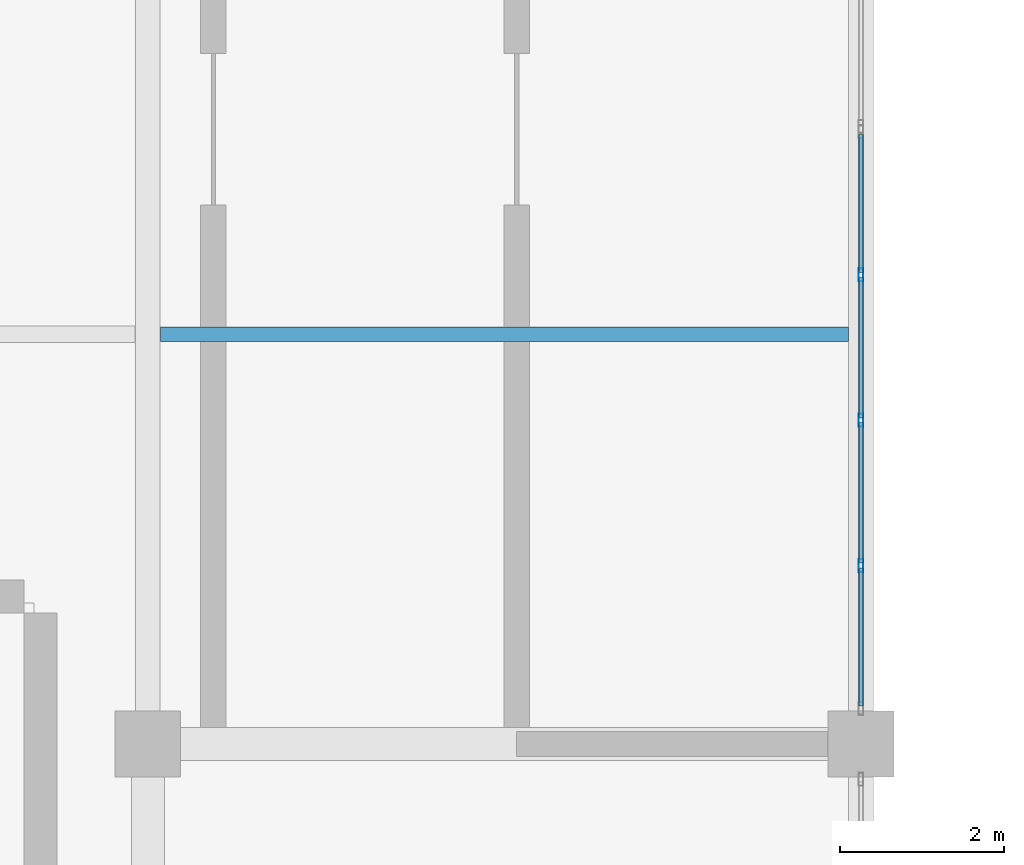
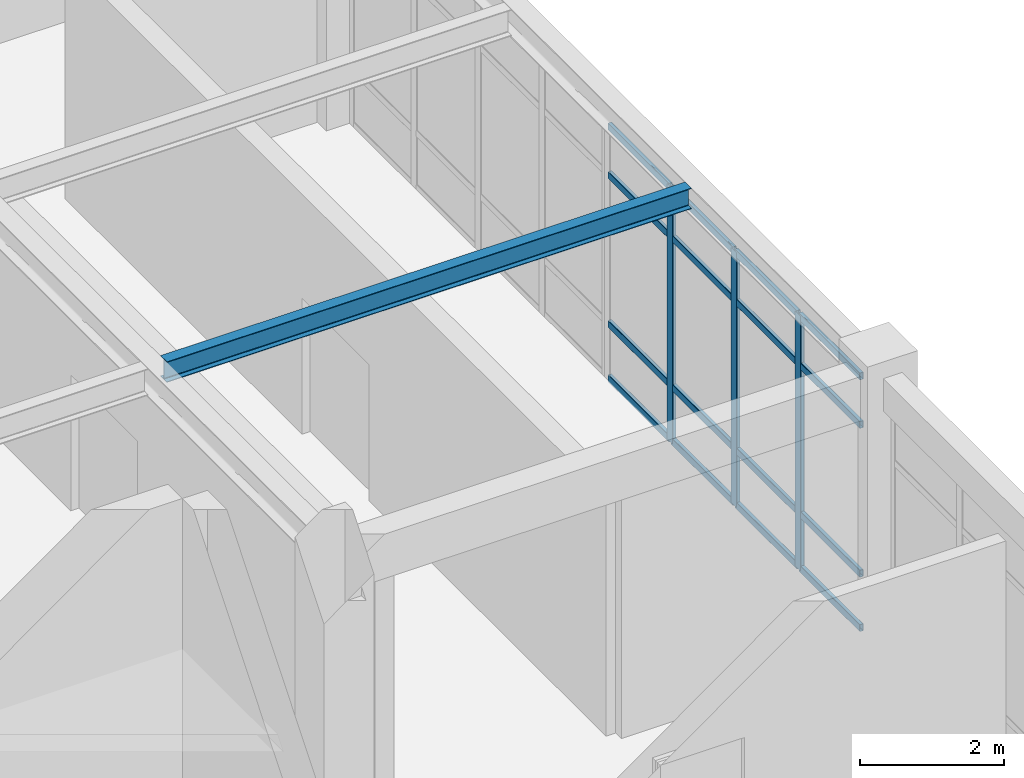
# One storey, part 41 of 96: 19 members, 1 beam, 1 element without a shape of its own.
"""IFC4 building model written with IfcOpenShell, lengths in metres."""

from ifc_helpers import new_model, si_unit, derived_unit, direction, frame, origin, origin_2d, place, context, subcontext, project, spatial, hollow_rectangle, i_section, extrude, material, layer, layer_set, material_profile, profile_set, type_object, element, aggregate, save


model = new_model("IFC4")

# Units and contexts
model_context = context("Model", 3, precision=1e-05, world=origin(), true_north=direction((0.0, 1.0)))
body_context = subcontext(model_context, "Body", "Model", "MODEL_VIEW")
ifc_project = project(units=[si_unit("LENGTHUNIT", "METRE"), si_unit("AREAUNIT", "SQUARE_METRE"), si_unit("VOLUMEUNIT", "CUBIC_METRE"), si_unit("PLANEANGLEUNIT", "RADIAN"), si_unit("MASSUNIT", "GRAM", prefix="KILO"), derived_unit("THERMALTRANSMITTANCEUNIT", [(si_unit("MASSUNIT", "GRAM", prefix="KILO"), 1), (si_unit("TIMEUNIT", "SECOND"), -3), (si_unit("THERMODYNAMICTEMPERATUREUNIT", "KELVIN"), -1)])], contexts=[model_context])

# Site, building, storey
site_placement = place(None, origin())
site = spatial("IfcSite", under=ifc_project, at=site_placement, CompositionType="ELEMENT")
building_placement = place(site_placement, origin())
building = spatial("IfcBuilding", under=site, at=building_placement, Name="Qinzheling Arcade Emporium", CompositionType="ELEMENT")
storey_placement = place(building_placement, frame((0.0, 0.0, 21.60009765625)))
storey = spatial("IfcBuildingStorey", under=building, at=storey_placement, Name="L05", CompositionType="ELEMENT", Elevation=21.60009765625)

# Beam
ifc_material_1 = material(Name="Structural steel Q355B", Category="steel")
ifc_material_profile_1 = material_profile(ifc_material_1, i_section(OverallWidth=0.175048828125, OverallDepth=0.35009765625, WebThickness=0.007080078125, FlangeThickness=0.010986328125, FilletRadius=0.013916015625, at=origin_2d()), Name="HN 350x175x7x11", Category="steel")
ifc_profile_set_1 = profile_set([ifc_material_profile_1], Name="Structural steel Q355B")
beam_type = type_object("IfcBeamType", Name="Canopy Secondary Joist HN350 Q355B", PredefinedType="JOIST", material=ifc_profile_set_1)
beam_placement = place(storey_placement, frame((95.85498046875, 55.39990234375, 4.64501953125), z_axis=(1.0, 0.0, 0.0), x_axis=(0.0, 1.0, 0.0)))
element("IfcBeam", 1, at=beam_placement, inside=storey, type_object=beam_type, Name="Secondary Joist JST-L05-12-1", PredefinedType="JOIST", context=body_context, shape_type="SweptSolid", body=[
    extrude(i_section(OverallWidth=0.175048828125, OverallDepth=0.35009765625, WebThickness=0.007080078125, FlangeThickness=0.010986328125, FilletRadius=0.013916015625, at=origin_2d()), origin(), (0.0, 0.0, 1.0), 8.39013671875),
])

# Curtain wall, members
ifc_material_2 = material(Name="Anodised aluminium and solar-control double glazing", Category="aluminium")
ifc_layer = layer(ifc_material_2, 0.159912109375, Name="Anodised aluminium and solar-control double glazing", Category="aluminium")
ifc_layer_set = layer_set([ifc_layer], Name="Anodised aluminium and solar-control double glazing")
curtain_wall_type = type_object("IfcCurtainWallType", Name="Atrium Clerestory Curtain Wall", PredefinedType="NOTDEFINED", material=ifc_layer_set)
curtain_wall_placement = place(storey_placement, origin())
curtain_wall = element("IfcCurtainWall", 2, at=curtain_wall_placement, inside=storey, type_object=curtain_wall_type, Name="Curtain Wall CW-L05-328", PredefinedType="NOTDEFINED")
ifc_material_3 = material(Name="Anodised aluminium 6063-T6", Category="aluminium")
ifc_material_profile_2 = material_profile(ifc_material_3, hollow_rectangle(XDim=0.06005859375, YDim=0.159912109375, WallThickness=0.00390625, InnerFilletRadius=0.00390625, OuterFilletRadius=0.008056640625, at=origin_2d()), Name="RHS 160x60x4", Category="aluminium")
ifc_profile_set_2 = profile_set([ifc_material_profile_2], Name="Anodised aluminium 6063-T6")
member_type_1 = type_object("IfcMemberType", Name="Curtain Wall Mullion RHS160x60", PredefinedType="MULLION", material=ifc_profile_set_2)
member_1_placement = place(storey_placement, frame((104.39990234375, 56.1240234375, 0.0), z_axis=(0.0, 0.0, 1.0), x_axis=(1.0, 0.0, 0.0)))
member_1 = element("IfcMember", 3, at=member_1_placement, type_object=member_type_1, Name="CW03 mullion 2", PredefinedType="MULLION", context=body_context, shape_type="SweptSolid", body=[
    extrude(hollow_rectangle(XDim=0.06005859375, YDim=0.159912109375, WallThickness=0.00390625, InnerFilletRadius=0.00390625, OuterFilletRadius=0.008056640625, at=origin_2d()), origin(), (0.0, 0.0, 1.0), 4.31689453125),
])
member_2_placement = place(storey_placement, frame((104.39990234375, 54.35009765625, 0.0), z_axis=(0.0, 0.0, 1.0), x_axis=(1.0, 0.0, 0.0)))
member_2 = element("IfcMember", 4, at=member_2_placement, type_object=member_type_1, Name="CW03 mullion 3", PredefinedType="MULLION", context=body_context, shape_type="SweptSolid", body=[
    extrude(hollow_rectangle(XDim=0.06005859375, YDim=0.159912109375, WallThickness=0.00390625, InnerFilletRadius=0.00390625, OuterFilletRadius=0.008056640625, at=origin_2d()), origin(), (0.0, 0.0, 1.0), 4.31689453125),
])
member_3_placement = place(storey_placement, frame((104.39990234375, 52.575927734375, 0.0), z_axis=(0.0, 0.0, 1.0), x_axis=(1.0, 0.0, 0.0)))
member_3 = element("IfcMember", 5, at=member_3_placement, type_object=member_type_1, Name="CW03 mullion 4", PredefinedType="MULLION", context=body_context, shape_type="SweptSolid", body=[
    extrude(hollow_rectangle(XDim=0.06005859375, YDim=0.159912109375, WallThickness=0.00390625, InnerFilletRadius=0.00390625, OuterFilletRadius=0.008056640625, at=origin_2d()), origin(), (0.0, 0.0, 1.0), 4.31689453125),
])
ifc_material_profile_3 = material_profile(ifc_material_3, hollow_rectangle(XDim=0.06005859375, YDim=0.1201171875, WallThickness=0.00390625, InnerFilletRadius=0.00390625, OuterFilletRadius=0.008056640625, at=origin_2d()), Name="RHS 120x60x4", Category="aluminium")
ifc_profile_set_3 = profile_set([ifc_material_profile_3], Name="Anodised aluminium 6063-T6")
member_type_2 = type_object("IfcMemberType", Name="Curtain Wall Transom RHS120x60", PredefinedType="USERDEFINED", material=ifc_profile_set_3)
member_4_placement = place(storey_placement, frame((104.39990234375, 57.837890625, 0.02978515625), z_axis=(0.0, -1.0, 0.0), x_axis=(1.0, 0.0, 0.0)))
member_4 = element("IfcMember", 6, at=member_4_placement, type_object=member_type_2, Name="CW03 transom 1.1", ObjectType="TRANSOM", PredefinedType="USERDEFINED", context=body_context, shape_type="SweptSolid", body=[
    extrude(hollow_rectangle(XDim=0.06005859375, YDim=0.1201171875, WallThickness=0.00390625, InnerFilletRadius=0.00390625, OuterFilletRadius=0.008056640625, at=origin_2d()), origin(), (0.0, 0.0, 1.0), 1.683837890625),
])
member_5_placement = place(storey_placement, frame((104.39990234375, 57.837890625, 0.949951171875), z_axis=(0.0, -1.0, 0.0), x_axis=(1.0, 0.0, 0.0)))
member_5 = element("IfcMember", 7, at=member_5_placement, type_object=member_type_2, Name="CW03 transom 1.2", ObjectType="TRANSOM", PredefinedType="USERDEFINED", context=body_context, shape_type="SweptSolid", body=[
    extrude(hollow_rectangle(XDim=0.06005859375, YDim=0.1201171875, WallThickness=0.00390625, InnerFilletRadius=0.00390625, OuterFilletRadius=0.008056640625, at=origin_2d()), origin(), (0.0, 0.0, 1.0), 1.683837890625),
])
member_6_placement = place(storey_placement, frame((104.39990234375, 57.837890625, 3.466796875), z_axis=(0.0, -1.0, 0.0), x_axis=(1.0, 0.0, 0.0)))
member_6 = element("IfcMember", 8, at=member_6_placement, type_object=member_type_2, Name="CW03 transom 1.3", ObjectType="TRANSOM", PredefinedType="USERDEFINED", context=body_context, shape_type="SweptSolid", body=[
    extrude(hollow_rectangle(XDim=0.06005859375, YDim=0.1201171875, WallThickness=0.00390625, InnerFilletRadius=0.00390625, OuterFilletRadius=0.008056640625, at=origin_2d()), origin(), (0.0, 0.0, 1.0), 1.683837890625),
])
member_7_placement = place(storey_placement, frame((104.39990234375, 57.837890625, 4.286865234375), z_axis=(0.0, -1.0, 0.0), x_axis=(1.0, 0.0, 0.0)))
member_7 = element("IfcMember", 9, at=member_7_placement, type_object=member_type_2, Name="CW03 transom 1.4", ObjectType="TRANSOM", PredefinedType="USERDEFINED", context=body_context, shape_type="SweptSolid", body=[
    extrude(hollow_rectangle(XDim=0.06005859375, YDim=0.1201171875, WallThickness=0.00390625, InnerFilletRadius=0.00390625, OuterFilletRadius=0.008056640625, at=origin_2d()), origin(), (0.0, 0.0, 1.0), 1.683837890625),
])
member_8_placement = place(storey_placement, frame((104.39990234375, 56.093994140625, 0.02978515625), z_axis=(0.0, -1.0, 0.0), x_axis=(1.0, 0.0, 0.0)))
member_8 = element("IfcMember", 10, at=member_8_placement, type_object=member_type_2, Name="CW03 transom 2.1", ObjectType="TRANSOM", PredefinedType="USERDEFINED", context=body_context, shape_type="SweptSolid", body=[
    extrude(hollow_rectangle(XDim=0.06005859375, YDim=0.1201171875, WallThickness=0.00390625, InnerFilletRadius=0.00390625, OuterFilletRadius=0.008056640625, at=origin_2d()), origin(), (0.0, 0.0, 1.0), 1.714111328125),
])
member_9_placement = place(storey_placement, frame((104.39990234375, 56.093994140625, 0.949951171875), z_axis=(0.0, -1.0, 0.0), x_axis=(1.0, 0.0, 0.0)))
member_9 = element("IfcMember", 11, at=member_9_placement, type_object=member_type_2, Name="CW03 transom 2.2", ObjectType="TRANSOM", PredefinedType="USERDEFINED", context=body_context, shape_type="SweptSolid", body=[
    extrude(hollow_rectangle(XDim=0.06005859375, YDim=0.1201171875, WallThickness=0.00390625, InnerFilletRadius=0.00390625, OuterFilletRadius=0.008056640625, at=origin_2d()), origin(), (0.0, 0.0, 1.0), 1.714111328125),
])
member_10_placement = place(storey_placement, frame((104.39990234375, 56.093994140625, 3.466796875), z_axis=(0.0, -1.0, 0.0), x_axis=(1.0, 0.0, 0.0)))
member_10 = element("IfcMember", 12, at=member_10_placement, type_object=member_type_2, Name="CW03 transom 2.3", ObjectType="TRANSOM", PredefinedType="USERDEFINED", context=body_context, shape_type="SweptSolid", body=[
    extrude(hollow_rectangle(XDim=0.06005859375, YDim=0.1201171875, WallThickness=0.00390625, InnerFilletRadius=0.00390625, OuterFilletRadius=0.008056640625, at=origin_2d()), origin(), (0.0, 0.0, 1.0), 1.714111328125),
])
member_11_placement = place(storey_placement, frame((104.39990234375, 56.093994140625, 4.286865234375), z_axis=(0.0, -1.0, 0.0), x_axis=(1.0, 0.0, 0.0)))
member_11 = element("IfcMember", 13, at=member_11_placement, type_object=member_type_2, Name="CW03 transom 2.4", ObjectType="TRANSOM", PredefinedType="USERDEFINED", context=body_context, shape_type="SweptSolid", body=[
    extrude(hollow_rectangle(XDim=0.06005859375, YDim=0.1201171875, WallThickness=0.00390625, InnerFilletRadius=0.00390625, OuterFilletRadius=0.008056640625, at=origin_2d()), origin(), (0.0, 0.0, 1.0), 1.714111328125),
])
member_12_placement = place(storey_placement, frame((104.39990234375, 54.320068359375, 0.02978515625), z_axis=(0.0, -1.0, 0.0), x_axis=(1.0, 0.0, 0.0)))
member_12 = element("IfcMember", 14, at=member_12_placement, type_object=member_type_2, Name="CW03 transom 3.1", ObjectType="TRANSOM", PredefinedType="USERDEFINED", context=body_context, shape_type="SweptSolid", body=[
    extrude(hollow_rectangle(XDim=0.06005859375, YDim=0.1201171875, WallThickness=0.00390625, InnerFilletRadius=0.00390625, OuterFilletRadius=0.008056640625, at=origin_2d()), origin(), (0.0, 0.0, 1.0), 1.714111328125),
])
member_13_placement = place(storey_placement, frame((104.39990234375, 54.320068359375, 0.949951171875), z_axis=(0.0, -1.0, 0.0), x_axis=(1.0, 0.0, 0.0)))
member_13 = element("IfcMember", 15, at=member_13_placement, type_object=member_type_2, Name="CW03 transom 3.2", ObjectType="TRANSOM", PredefinedType="USERDEFINED", context=body_context, shape_type="SweptSolid", body=[
    extrude(hollow_rectangle(XDim=0.06005859375, YDim=0.1201171875, WallThickness=0.00390625, InnerFilletRadius=0.00390625, OuterFilletRadius=0.008056640625, at=origin_2d()), origin(), (0.0, 0.0, 1.0), 1.714111328125),
])
member_14_placement = place(storey_placement, frame((104.39990234375, 54.320068359375, 3.466796875), z_axis=(0.0, -1.0, 0.0), x_axis=(1.0, 0.0, 0.0)))
member_14 = element("IfcMember", 16, at=member_14_placement, type_object=member_type_2, Name="CW03 transom 3.3", ObjectType="TRANSOM", PredefinedType="USERDEFINED", context=body_context, shape_type="SweptSolid", body=[
    extrude(hollow_rectangle(XDim=0.06005859375, YDim=0.1201171875, WallThickness=0.00390625, InnerFilletRadius=0.00390625, OuterFilletRadius=0.008056640625, at=origin_2d()), origin(), (0.0, 0.0, 1.0), 1.714111328125),
])
member_15_placement = place(storey_placement, frame((104.39990234375, 54.320068359375, 4.286865234375), z_axis=(0.0, -1.0, 0.0), x_axis=(1.0, 0.0, 0.0)))
member_15 = element("IfcMember", 17, at=member_15_placement, type_object=member_type_2, Name="CW03 transom 3.4", ObjectType="TRANSOM", PredefinedType="USERDEFINED", context=body_context, shape_type="SweptSolid", body=[
    extrude(hollow_rectangle(XDim=0.06005859375, YDim=0.1201171875, WallThickness=0.00390625, InnerFilletRadius=0.00390625, OuterFilletRadius=0.008056640625, at=origin_2d()), origin(), (0.0, 0.0, 1.0), 1.714111328125),
])
member_16_placement = place(storey_placement, frame((104.39990234375, 52.5458984375, 0.02978515625), z_axis=(0.0, -1.0, 0.0), x_axis=(1.0, 0.0, 0.0)))
member_16 = element("IfcMember", 18, at=member_16_placement, type_object=member_type_2, Name="CW03 transom 4.1", ObjectType="TRANSOM", PredefinedType="USERDEFINED", context=body_context, shape_type="SweptSolid", body=[
    extrude(hollow_rectangle(XDim=0.06005859375, YDim=0.1201171875, WallThickness=0.00390625, InnerFilletRadius=0.00390625, OuterFilletRadius=0.008056640625, at=origin_2d()), origin(), (0.0, 0.0, 1.0), 1.683837890625),
])
member_17_placement = place(storey_placement, frame((104.39990234375, 52.5458984375, 0.949951171875), z_axis=(0.0, -1.0, 0.0), x_axis=(1.0, 0.0, 0.0)))
member_17 = element("IfcMember", 19, at=member_17_placement, type_object=member_type_2, Name="CW03 transom 4.2", ObjectType="TRANSOM", PredefinedType="USERDEFINED", context=body_context, shape_type="SweptSolid", body=[
    extrude(hollow_rectangle(XDim=0.06005859375, YDim=0.1201171875, WallThickness=0.00390625, InnerFilletRadius=0.00390625, OuterFilletRadius=0.008056640625, at=origin_2d()), origin(), (0.0, 0.0, 1.0), 1.683837890625),
])
member_18_placement = place(storey_placement, frame((104.39990234375, 52.5458984375, 3.466796875), z_axis=(0.0, -1.0, 0.0), x_axis=(1.0, 0.0, 0.0)))
member_18 = element("IfcMember", 20, at=member_18_placement, type_object=member_type_2, Name="CW03 transom 4.3", ObjectType="TRANSOM", PredefinedType="USERDEFINED", context=body_context, shape_type="SweptSolid", body=[
    extrude(hollow_rectangle(XDim=0.06005859375, YDim=0.1201171875, WallThickness=0.00390625, InnerFilletRadius=0.00390625, OuterFilletRadius=0.008056640625, at=origin_2d()), origin(), (0.0, 0.0, 1.0), 1.683837890625),
])
member_19_placement = place(storey_placement, frame((104.39990234375, 52.5458984375, 4.286865234375), z_axis=(0.0, -1.0, 0.0), x_axis=(1.0, 0.0, 0.0)))
member_19 = element("IfcMember", 21, at=member_19_placement, type_object=member_type_2, Name="CW03 transom 4.4", ObjectType="TRANSOM", PredefinedType="USERDEFINED", context=body_context, shape_type="SweptSolid", body=[
    extrude(hollow_rectangle(XDim=0.06005859375, YDim=0.1201171875, WallThickness=0.00390625, InnerFilletRadius=0.00390625, OuterFilletRadius=0.008056640625, at=origin_2d()), origin(), (0.0, 0.0, 1.0), 1.683837890625),
])
aggregate(curtain_wall, [member_1, member_2, member_3, member_4, member_5, member_6, member_7, member_8, member_9, member_10, member_11, member_12, member_13, member_14, member_15, member_16, member_17, member_18, member_19])

save(model, "model.ifc")
